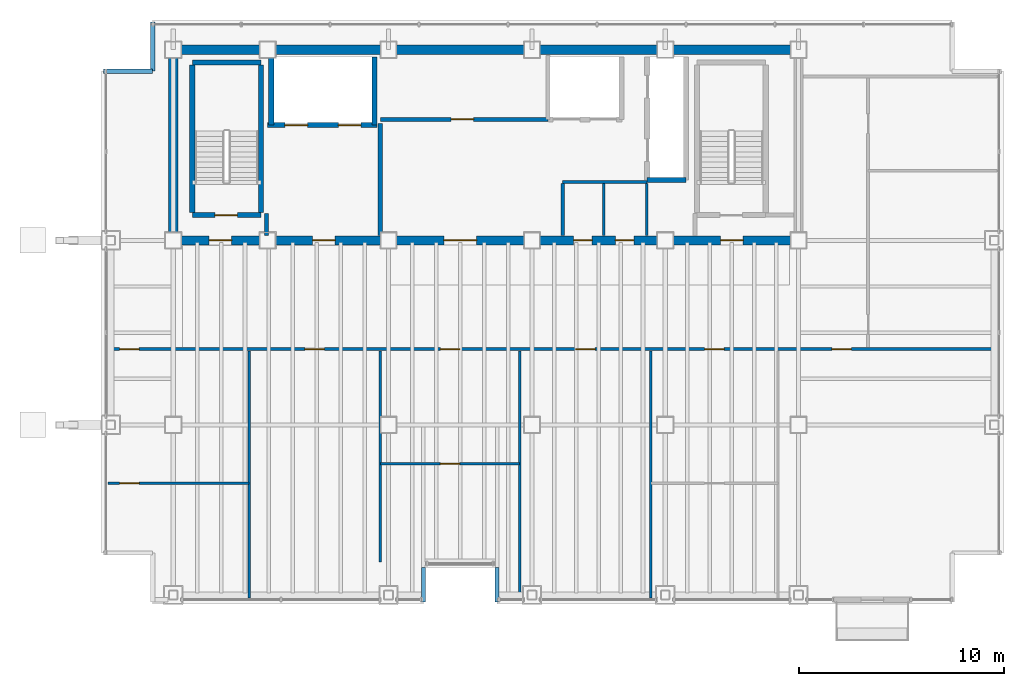
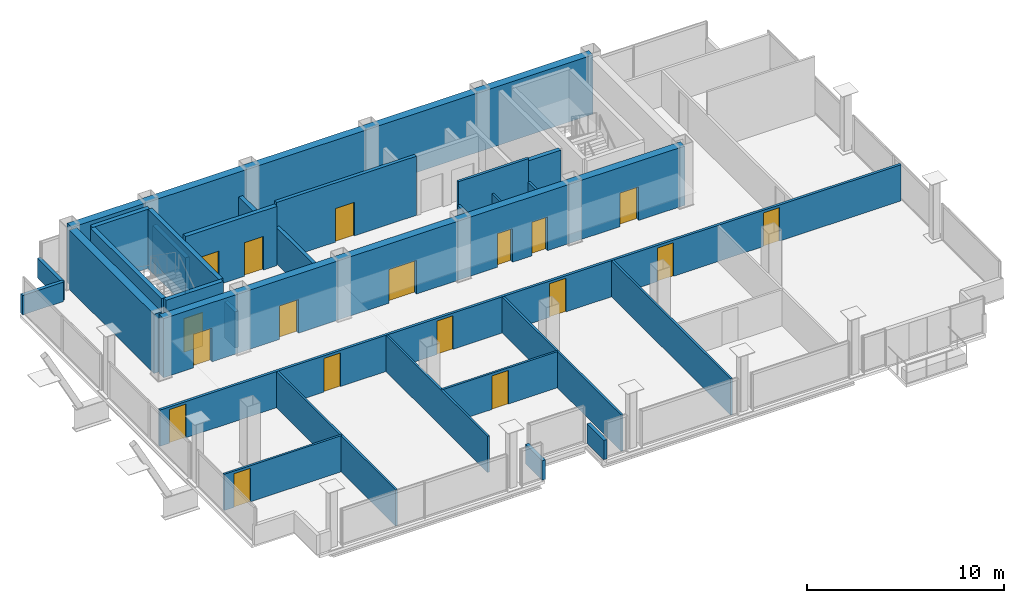
# One storey, part 14 of 17: 29 walls, 18 doors, 18 openings.
"""IFC4 building model written with IfcOpenShell, lengths in metres."""

import ifcopenshell
import ifcopenshell.guid

model = None  # the IFC model being written
_history = None  # IfcOwnerHistory: only IFC2X3 demands one
_inside = {}  # id of a spatial element -> (the spatial element, [elements in it])
_under = {}  # id of a project, library or spatial element -> (it, [spatial elements below it])
_declared = {}  # id of a project -> (the project, [libraries it declares])
_typed = {}  # id of a type object -> (the type object, [elements of that type])
_made_of = {}  # id of a material, layer set ... -> (it, [elements and type objects made of it])


def new_model(schema):
    """Start an empty IFC model of exactly this schema.

    Asked for "IFC4X3", IfcOpenShell would pick the latest addendum, in which some entities
    have other attributes; the version numbers below select the first issue.
    IFC2X3 requires an IfcOwnerHistory on every rooted entity: one is made here for all.
    """
    global model, _history
    if schema == "IFC4X3":
        model = ifcopenshell.file(schema_version=(4, 3, 0, 0))
    else:
        model = ifcopenshell.file(schema=schema)
    _inside.clear()
    _under.clear()
    _declared.clear()
    _typed.clear()
    _made_of.clear()
    _history = None
    if model.schema == "IFC2X3":
        org = make("IfcOrganization", Name="unknown")
        user = make(
            "IfcPersonAndOrganization",
            ThePerson=make("IfcPerson", FamilyName="unknown"),
            TheOrganization=org,
        )
        app = make(
            "IfcApplication",
            ApplicationDeveloper=org,
            Version="unknown",
            ApplicationFullName="unknown",
            ApplicationIdentifier="unknown",
        )
        _history = make(
            "IfcOwnerHistory",
            OwningUser=user,
            OwningApplication=app,
            ChangeAction="ADDED",
            CreationDate=0,
        )
    return model


def make(cls, **values):
    """One entity of the class cls with the attributes given. An attribute that is None is left unset."""
    return model.create_entity(
        cls, **{name: value for name, value in values.items() if value is not None}
    )


def rooted(cls, **values):
    """An entity with a GlobalId (a new one), such as an element, a storey or a relation."""
    return make(cls, GlobalId=ifcopenshell.guid.new(), OwnerHistory=_history, **values)


def si_unit(unit_type, name, prefix=None):
    """IfcSIUnit, for example si_unit("LENGTHUNIT", "METRE", prefix="MILLI")."""
    return make("IfcSIUnit", UnitType=unit_type, Prefix=prefix, Name=name)


def assignment(units):
    """IfcUnitAssignment: the units of a project."""
    return None if units is None else make("IfcUnitAssignment", Units=units)


def point(xyz):
    """IfcCartesianPoint."""
    return None if xyz is None else make("IfcCartesianPoint", Coordinates=xyz)


def direction(xyz):
    """IfcDirection."""
    return None if xyz is None else make("IfcDirection", DirectionRatios=xyz)


def frame(location, z_axis=None, x_axis=None):
    """IfcAxis2Placement3D, a coordinate frame: its origin and axes. An axis left out is left unset."""
    return make(
        "IfcAxis2Placement3D",
        Location=point(location),
        Axis=direction(z_axis),
        RefDirection=direction(x_axis),
    )


def frame_2d(location, x_axis=None):
    """IfcAxis2Placement2D, a coordinate frame in the plane: its origin and x axis."""
    return make(
        "IfcAxis2Placement2D", Location=point(location), RefDirection=direction(x_axis)
    )


def origin():
    """The frame at (0, 0, 0) with its axes left unset."""
    return frame((0.0, 0.0, 0.0))


def place(relative_to, where):
    """IfcLocalPlacement: puts the frame where relative to a parent placement (None: the world)."""
    return make(
        "IfcLocalPlacement", PlacementRelTo=relative_to, RelativePlacement=where
    )


def context(
    kind, dimensions, precision=None, world=None, true_north=None, identifier=None
):
    """IfcGeometricRepresentationContext, for example the 3D "Model" context."""
    return make(
        "IfcGeometricRepresentationContext",
        ContextIdentifier=identifier,
        ContextType=kind,
        CoordinateSpaceDimension=dimensions,
        Precision=precision,
        WorldCoordinateSystem=world,
        TrueNorth=true_north,
    )


def subcontext(parent, identifier, kind, view, scale=None):
    """IfcGeometricRepresentationSubContext, for example "Body" below "Model"."""
    return make(
        "IfcGeometricRepresentationSubContext",
        ContextIdentifier=identifier,
        ContextType=kind,
        ParentContext=parent,
        TargetScale=scale,
        TargetView=view,
    )


def project(units=None, contexts=None):
    """IfcProject with its units and contexts."""
    return rooted(
        "IfcProject",
        Name="project",
        RepresentationContexts=contexts,
        UnitsInContext=assignment(units),
    )


def spatial(cls, under=None, at=None, **own):
    """A site, building, storey or space (cls), placed at a placement, below another one or the project."""
    s = rooted(cls, ObjectPlacement=at, **own)
    if under is not None:
        _under.setdefault(under.id(), (under, []))[1].append(s)
    return s


def profile(cls, at=None, kind="AREA", **sizes):
    """A parametric profile (cls). Its sizes go by their IFC names, for example OverallWidth=200.0."""
    return make(cls, ProfileType=kind, Position=at, **sizes)


def rectangle(**sizes):
    """IfcRectangleProfileDef."""
    return profile("IfcRectangleProfileDef", **sizes)


def extrude(swept, where, along, depth):
    """IfcExtrudedAreaSolid: the profile swept, set in the frame where, extruded along a direction by depth."""
    return make(
        "IfcExtrudedAreaSolid",
        SweptArea=swept,
        Position=where,
        ExtrudedDirection=direction(along),
        Depth=depth,
    )


def shape(context_of_items, identifier, shape_type, items):
    """IfcShapeRepresentation: the items that make up one representation, for example the "Body"."""
    return make(
        "IfcShapeRepresentation",
        ContextOfItems=context_of_items,
        RepresentationIdentifier=identifier,
        RepresentationType=shape_type,
        Items=items,
    )


def material(Name=None, Category=None):
    """IfcMaterial."""
    return make("IfcMaterial", Name=Name, Category=Category)


def layer(
    of_material, thickness, ventilated=None, Name=None, Category=None, Priority=None
):
    """IfcMaterialLayer: one layer of a wall or slab, of a material (None: an air gap)."""
    return make(
        "IfcMaterialLayer",
        Material=of_material,
        LayerThickness=thickness,
        IsVentilated=ventilated,
        Name=Name,
        Category=Category,
        Priority=Priority,
    )


def layer_set(layers, Name=None):
    """IfcMaterialLayerSet."""
    return make("IfcMaterialLayerSet", MaterialLayers=layers, LayerSetName=Name)


def made_of(thing, what):
    """Note that an element or type object is made of a material, layer set ...; save() writes the relation."""
    if what is not None:
        _made_of.setdefault(what.id(), (what, []))[1].append(thing)
    return thing


def type_object(cls, material=None, **own):
    """A type object (cls), such as IfcWallType, which elements share."""
    return made_of(rooted(cls, **own), material)


def element(
    cls,
    number,
    at=None,
    inside=None,
    cuts=None,
    type_object=None,
    material=None,
    context=None,
    identifier="Body",
    shape_type=None,
    held_by="IfcProductDefinitionShape",
    body=None,
    shapes=None,
    **own,
):
    """One element of the class cls, such as IfcWall. Its Tag is "e" and its number.

    at: its placement. inside: the storey or other place that contains it. cuts: it is an
    opening in that element (IfcRelVoidsElement). A single representation is given by context,
    identifier, shape_type and body (its items); several are given by shapes. held_by: the class
    of the entity that holds the representations. save() writes the other relations.
    """
    e = rooted(cls, Tag="e%d" % number, ObjectPlacement=at, **own)
    if body is not None:
        shapes = [shape(context, identifier, shape_type, body)]
    if shapes is not None:
        e.Representation = make(held_by, Representations=shapes)
    if inside is not None:
        _inside.setdefault(inside.id(), (inside, []))[1].append(e)
    if cuts is not None:
        rooted(
            "IfcRelVoidsElement", RelatingBuildingElement=cuts, RelatedOpeningElement=e
        )
    if type_object is not None:
        _typed.setdefault(type_object.id(), (type_object, []))[1].append(e)
    return made_of(e, material)


def fill(opening, filler):
    """IfcRelFillsElement: the door or window that sits in an opening."""
    return rooted(
        "IfcRelFillsElement",
        RelatingOpeningElement=opening,
        RelatedBuildingElement=filler,
    )


def aggregate(whole, parts):
    """IfcRelAggregates: a whole, such as a stair, and the parts it consists of."""
    return rooted("IfcRelAggregates", RelatingObject=whole, RelatedObjects=parts)


def save(model, path):
    """Write the relations noted so far, then the file.

    IfcRelAggregates (storeys below a building ...), IfcRelContainedInSpatialStructure (elements
    in a storey), IfcRelDefinesByType, IfcRelAssociatesMaterial and IfcRelDeclares: one each for
    every whole, place, type object, material and project.
    """
    for whole, parts in _under.values():
        aggregate(whole, parts)
    for where, things in _inside.values():
        rooted(
            "IfcRelContainedInSpatialStructure",
            RelatedElements=things,
            RelatingStructure=where,
        )
    for kind, things in _typed.values():
        rooted("IfcRelDefinesByType", RelatedObjects=things, RelatingType=kind)
    for what, things in _made_of.values():
        rooted("IfcRelAssociatesMaterial", RelatedObjects=things, RelatingMaterial=what)
    for by, libraries in _declared.values():
        rooted("IfcRelDeclares", RelatingContext=by, RelatedDefinitions=libraries)
    model.write(path)


model = new_model("IFC4")

# Units and contexts
model_context = context("Model", 3, precision=1e-05, world=origin(), true_north=direction((0.0, 1.0)))
body_context = subcontext(model_context, "Body", "Model", "MODEL_VIEW")
ifc_project = project(units=[si_unit("LENGTHUNIT", "METRE"), si_unit("AREAUNIT", "SQUARE_METRE"), si_unit("VOLUMEUNIT", "CUBIC_METRE"), si_unit("PLANEANGLEUNIT", "RADIAN"), si_unit("MASSUNIT", "GRAM", prefix="KILO")], contexts=[model_context])

# Site, building, storey
site_placement = place(None, origin())
site = spatial("IfcSite", under=ifc_project, at=site_placement, CompositionType="ELEMENT")
building_placement = place(site_placement, origin())
building = spatial("IfcBuilding", under=site, at=building_placement, Name="Noeulbin Bourse Tower", CompositionType="ELEMENT")
storey_placement = place(building_placement, frame((0.0, 0.0, 226.699951171875)))
storey = spatial("IfcBuildingStorey", under=building, at=storey_placement, Name="L56", CompositionType="ELEMENT", Elevation=226.699951171875)

# Wall, openings, doors
ifc_material_1 = material(Name="Concrete C50/60", Category="concrete")
ifc_layer_1 = layer(ifc_material_1, 0.449951171875)
ifc_layer_set_1 = layer_set([ifc_layer_1], Name="Concrete C50/60")
wall_type_1 = type_object("IfcWallType", Name="WAL-CORE-450", PredefinedType="SHEAR", material=ifc_layer_set_1)
wall_1_placement = place(storey_placement, frame((13.5, 29.0, 0.0), z_axis=(0.0, 0.0, 1.0), x_axis=(1.0, 0.0, 0.0)))
wall_1 = element("IfcWall", 1, at=wall_1_placement, inside=storey, type_object=wall_type_1, Name="Rear Core South Shear Wall L56", PredefinedType="SHEAR", context=body_context, shape_type="SweptSolid", body=[
    extrude(rectangle(XDim=30.5, YDim=0.449951171875, at=frame_2d((15.25, 0.0))), origin(), (0.0, 0.0, 1.0), 3.66015625),
])
opening_1_placement = place(wall_1_placement, frame((1.75, 0.0, 0.0)))
opening_1 = element("IfcOpeningElement", 2, at=opening_1_placement, cuts=wall_1, Name="Opening FD-11", PredefinedType="OPENING", context=body_context, shape_type="SweptSolid", body=[
    extrude(rectangle(XDim=1.10009765625, YDim=2.080078125, at=frame_2d((0.550048828125, 1.0400390625))), frame((0.0, 0.23486328125, 0.0), z_axis=(0.0, -1.0, 0.0), x_axis=(1.0, 0.0, 0.0)), (0.0, 0.0, 1.0), 0.469970703125),
])
opening_2_placement = place(wall_1_placement, frame((26.699951171875, 0.0, 0.0)))
opening_2 = element("IfcOpeningElement", 3, at=opening_2_placement, cuts=wall_1, Name="Opening FD-11", PredefinedType="OPENING", context=body_context, shape_type="SweptSolid", body=[
    extrude(rectangle(XDim=1.10009765625, YDim=2.080078125, at=frame_2d((0.550048828125, 1.0400390625))), frame((0.0, 0.23486328125, 0.0), z_axis=(0.0, -1.0, 0.0), x_axis=(1.0, 0.0, 0.0)), (0.0, 0.0, 1.0), 0.469970703125),
])
opening_3_placement = place(wall_1_placement, frame((6.800048828125, 0.0, 0.0)))
opening_3 = element("IfcOpeningElement", 4, at=opening_3_placement, cuts=wall_1, Name="Opening FD-11", PredefinedType="OPENING", context=body_context, shape_type="SweptSolid", body=[
    extrude(rectangle(XDim=1.10009765625, YDim=2.080078125, at=frame_2d((0.550048828125, 1.0400390625))), frame((0.0, 0.23486328125, 0.0), z_axis=(0.0, -1.0, 0.0), x_axis=(1.0, 0.0, 0.0)), (0.0, 0.0, 1.0), 0.469970703125),
])
opening_4_placement = place(wall_1_placement, frame((13.199951171875, 0.0, 0.0)))
opening_4 = element("IfcOpeningElement", 5, at=opening_4_placement, cuts=wall_1, Name="Opening ID-16", PredefinedType="OPENING", context=body_context, shape_type="SweptSolid", body=[
    extrude(rectangle(XDim=1.60009765625, YDim=2.080078125, at=frame_2d((0.800048828125, 1.0400390625))), frame((0.0, 0.23486328125, 0.0), z_axis=(0.0, -1.0, 0.0), x_axis=(1.0, 0.0, 0.0)), (0.0, 0.0, 1.0), 0.469970703125),
])
opening_5_placement = place(wall_1_placement, frame((19.530029296875, 0.0, 0.0)))
opening_5 = element("IfcOpeningElement", 6, at=opening_5_placement, cuts=wall_1, Name="Opening FD-09", PredefinedType="OPENING", context=body_context, shape_type="SweptSolid", body=[
    extrude(rectangle(XDim=0.89990234375, YDim=2.080078125, at=frame_2d((0.449951171875, 1.0400390625))), frame((0.0, 0.23486328125, 0.0), z_axis=(0.0, -1.0, 0.0), x_axis=(1.0, 0.0, 0.0)), (0.0, 0.0, 1.0), 0.469970703125),
])
opening_6_placement = place(wall_1_placement, frame((21.570068359375, 0.0, 0.0)))
opening_6 = element("IfcOpeningElement", 7, at=opening_6_placement, cuts=wall_1, Name="Opening FD-09", PredefinedType="OPENING", context=body_context, shape_type="SweptSolid", body=[
    extrude(rectangle(XDim=0.89990234375, YDim=2.080078125, at=frame_2d((0.449951171875, 1.0400390625))), frame((0.0, 0.23486328125, 0.0), z_axis=(0.0, -1.0, 0.0), x_axis=(1.0, 0.0, 0.0)), (0.0, 0.0, 1.0), 0.469970703125),
])
ifc_material_2 = material(Name="Acoustic Glazed Aluminium", Category="aluminium")
door_type_1 = type_object("IfcDoorType", Name="DR-DBL-1600", OperationType="DOUBLE_DOOR_SINGLE_SWING", PredefinedType="DOOR", material=ifc_material_2)
door_1_placement = place(opening_4_placement, origin())
door_1 = element("IfcDoor", 8, at=door_1_placement, inside=storey, type_object=door_type_1, Name="Passenger Lift Lobby Portal L56", OperationType="DOUBLE_DOOR_SINGLE_SWING", OverallHeight=2.080078125, OverallWidth=1.60009765625, PredefinedType="DOOR", context=body_context, shape_type="SweptSolid", body=[
    extrude(rectangle(XDim=1.60009765625, YDim=2.080078125, at=frame_2d((0.800048828125, 1.0400390625))), frame((0.0, 0.02490234375, 0.0), z_axis=(0.0, -1.0, 0.0), x_axis=(1.0, 0.0, 0.0)), (0.0, 0.0, 1.0), 0.050048828125),
])
fill(opening_4, door_1)
ifc_material_3 = material(Name="Fire-Rated Timber Core", Category="wood")
door_type_2 = type_object("IfcDoorType", Name="DR-FD30-900", OperationType="SINGLE_SWING_RIGHT", PredefinedType="DOOR", material=ifc_material_3)
door_2_placement = place(opening_5_placement, origin())
door_2 = element("IfcDoor", 9, at=door_2_placement, inside=storey, type_object=door_type_2, Name="Interior Door L56-06", OperationType="SINGLE_SWING_LEFT", OverallHeight=2.080078125, OverallWidth=0.89990234375, PredefinedType="DOOR", context=body_context, shape_type="SweptSolid", body=[
    extrude(rectangle(XDim=0.89990234375, YDim=2.080078125, at=frame_2d((0.449951171875, 1.0400390625))), frame((0.0, 0.02490234375, 0.0), z_axis=(0.0, -1.0, 0.0), x_axis=(1.0, 0.0, 0.0)), (0.0, 0.0, 1.0), 0.050048828125),
])
fill(opening_5, door_2)
door_3_placement = place(opening_6_placement, origin())
door_3 = element("IfcDoor", 10, at=door_3_placement, inside=storey, type_object=door_type_2, Name="Interior Door L56-07", OperationType="SINGLE_SWING_RIGHT", OverallHeight=2.080078125, OverallWidth=0.89990234375, PredefinedType="DOOR", context=body_context, shape_type="SweptSolid", body=[
    extrude(rectangle(XDim=0.89990234375, YDim=2.080078125, at=frame_2d((0.449951171875, 1.0400390625))), frame((0.0, 0.02490234375, 0.0), z_axis=(0.0, -1.0, 0.0), x_axis=(1.0, 0.0, 0.0)), (0.0, 0.0, 1.0), 0.050048828125),
])
fill(opening_6, door_3)
ifc_material_4 = material(Name="Fire-Rated Insulated Steel", Category="steel")
door_type_3 = type_object("IfcDoorType", Name="DR-FD60-1100", OperationType="SINGLE_SWING_LEFT", PredefinedType="DOOR", material=ifc_material_4)
door_4_placement = place(opening_1_placement, origin())
door_4 = element("IfcDoor", 11, at=door_4_placement, inside=storey, type_object=door_type_3, Name="West Stair Lobby Door L56", OperationType="SINGLE_SWING_RIGHT", OverallHeight=2.080078125, OverallWidth=1.10009765625, PredefinedType="DOOR", context=body_context, shape_type="SweptSolid", body=[
    extrude(rectangle(XDim=1.10009765625, YDim=2.080078125, at=frame_2d((0.550048828125, 1.0400390625))), frame((0.0, 0.02490234375, 0.0), z_axis=(0.0, -1.0, 0.0), x_axis=(1.0, 0.0, 0.0)), (0.0, 0.0, 1.0), 0.050048828125),
])
fill(opening_1, door_4)
door_5_placement = place(opening_2_placement, origin())
door_5 = element("IfcDoor", 12, at=door_5_placement, inside=storey, type_object=door_type_3, Name="East Stair Lobby Door L56", OperationType="SINGLE_SWING_LEFT", OverallHeight=2.080078125, OverallWidth=1.10009765625, PredefinedType="DOOR", context=body_context, shape_type="SweptSolid", body=[
    extrude(rectangle(XDim=1.10009765625, YDim=2.080078125, at=frame_2d((0.550048828125, 1.0400390625))), frame((0.0, 0.02490234375, 0.0), z_axis=(0.0, -1.0, 0.0), x_axis=(1.0, 0.0, 0.0)), (0.0, 0.0, 1.0), 0.050048828125),
])
fill(opening_2, door_5)
door_6_placement = place(opening_3_placement, origin())
door_6 = element("IfcDoor", 13, at=door_6_placement, inside=storey, type_object=door_type_3, Name="Firefighting Lobby Door L56", OperationType="SINGLE_SWING_RIGHT", OverallHeight=2.080078125, OverallWidth=1.10009765625, PredefinedType="DOOR", context=body_context, shape_type="SweptSolid", body=[
    extrude(rectangle(XDim=1.10009765625, YDim=2.080078125, at=frame_2d((0.550048828125, 1.0400390625))), frame((0.0, 0.02490234375, 0.0), z_axis=(0.0, -1.0, 0.0), x_axis=(1.0, 0.0, 0.0)), (0.0, 0.0, 1.0), 0.050048828125),
])
fill(opening_3, door_6)

# Walls
wall_2_placement = place(storey_placement, frame((13.5, 38.300048828125, 0.0), z_axis=(0.0, 0.0, 1.0), x_axis=(1.0, 0.0, 0.0)))
element("IfcWall", 14, at=wall_2_placement, inside=storey, type_object=wall_type_1, Name="Rear Core North Shear Wall L56", PredefinedType="SHEAR", context=body_context, shape_type="SweptSolid", body=[
    extrude(rectangle(XDim=30.5, YDim=0.449951171875, at=frame_2d((15.25, 0.0))), origin(), (0.0, 0.0, 1.0), 3.66015625),
])
wall_3_placement = place(storey_placement, frame((13.5, 29.35009765625, 0.0), z_axis=(0.0, 0.0, 1.0), x_axis=(0.0, 1.0, 0.0)))
element("IfcWall", 15, at=wall_3_placement, inside=storey, type_object=wall_type_1, Name="Rear Core West Shear Wall L56", PredefinedType="SHEAR", context=body_context, shape_type="SweptSolid", body=[
    extrude(rectangle(XDim=8.599853515625, YDim=0.449951171875, at=frame_2d((4.2998046875, 0.0))), origin(), (0.0, 0.0, 1.0), 3.66015625),
])

# Wall, opening, door
ifc_material_5 = material(Name="Concrete C40/50", Category="concrete")
ifc_layer_2 = layer(ifc_material_5, 0.199951171875)
ifc_layer_set_2 = layer_set([ifc_layer_2], Name="Concrete C40/50")
wall_type_2 = type_object("IfcWallType", Name="WAL-FIRE-200", PredefinedType="STANDARD", material=ifc_layer_set_2)
wall_4_placement = place(storey_placement, frame((23.60009765625, 34.89990234375, 0.0), z_axis=(0.0, 0.0, 1.0), x_axis=(1.0, 0.0, 0.0)))
wall_4 = element("IfcWall", 16, at=wall_4_placement, inside=storey, type_object=wall_type_2, Name="Interior Partition Wall L56-02", PredefinedType="STANDARD", context=body_context, shape_type="SweptSolid", body=[
    extrude(rectangle(XDim=8.179931640625, YDim=0.199951171875, at=frame_2d((4.08984375, 0.0))), origin(), (0.0, 0.0, 1.0), 3.66015625),
])
opening_7_placement = place(wall_4_placement, frame((3.449951171875, 0.0, 0.0)))
opening_7 = element("IfcOpeningElement", 17, at=opening_7_placement, cuts=wall_4, Name="Opening FD-11", PredefinedType="OPENING", context=body_context, shape_type="SweptSolid", body=[
    extrude(rectangle(XDim=1.10009765625, YDim=2.080078125, at=frame_2d((0.550048828125, 1.0400390625))), frame((0.0, 0.10986328125, 0.0), z_axis=(0.0, -1.0, 0.0), x_axis=(1.0, 0.0, 0.0)), (0.0, 0.0, 1.0), 0.219970703125),
])
door_7_placement = place(opening_7_placement, origin())
door_7 = element("IfcDoor", 18, at=door_7_placement, inside=storey, type_object=door_type_3, Name="Telemetry Server Door L56", OperationType="SINGLE_SWING_RIGHT", OverallHeight=2.080078125, OverallWidth=1.10009765625, PredefinedType="DOOR", context=body_context, shape_type="SweptSolid", body=[
    extrude(rectangle(XDim=1.10009765625, YDim=2.080078125, at=frame_2d((0.550048828125, 1.0400390625))), frame((0.0, 0.02490234375, 0.0), z_axis=(0.0, -1.0, 0.0), x_axis=(1.0, 0.0, 0.0)), (0.0, 0.0, 1.0), 0.050048828125),
])
fill(opening_7, door_7)

# Walls
wall_5_placement = place(storey_placement, frame((18.050048828125, 29.235107421875, 0.0), z_axis=(0.0, 0.0, 1.0), x_axis=(0.0, 1.0, 0.0)))
element("IfcWall", 19, at=wall_5_placement, inside=storey, type_object=wall_type_2, Name="Interior Partition Wall L56-10", PredefinedType="STANDARD", context=body_context, shape_type="SweptSolid", body=[
    extrude(rectangle(XDim=1.06494140625, YDim=0.199951171875, at=frame_2d((0.532470703125, 0.0))), origin(), (0.0, 0.0, 1.0), 2.239990234375),
])
wall_6_placement = place(storey_placement, frame((23.60009765625, 29.235107421875, 0.0), z_axis=(0.0, 0.0, 1.0), x_axis=(0.0, 1.0, 0.0)))
element("IfcWall", 20, at=wall_6_placement, inside=storey, type_object=wall_type_2, Name="Interior Partition Wall L56-12", PredefinedType="STANDARD", context=body_context, shape_type="SweptSolid", body=[
    extrude(rectangle(XDim=5.46484375, YDim=0.199951171875, at=frame_2d((2.732421875, 0.0))), origin(), (0.0, 0.0, 1.0), 2.239990234375),
])
ifc_layer_3 = layer(ifc_material_5, 0.199951171875)
ifc_layer_set_3 = layer_set([ifc_layer_3], Name="Concrete C40/50")
wall_type_3 = type_object("IfcWallType", Name="WAL-PAR-200", PredefinedType="PARAPET", material=ifc_layer_set_3)
for number, where, z_axis, x_axis, name in (
    (21, (10.10009765625, 37.25, 0.0), (0.0, 0.0, 1.0), (1.0, 0.0, 0.0), "Corner Notch Parapet L56-NW1"),
    (22, (12.5, 37.25, 0.0), (0.0, 0.0, 1.0), (0.0, 1.0, 0.0), "Corner Notch Parapet L56-NW2"),
):
    element("IfcWall", number, at=place(storey_placement, frame(where, z_axis=z_axis, x_axis=x_axis)), inside=storey, type_object=wall_type_3, Name=name, PredefinedType="PARAPET", context=body_context, shape_type="SweptSolid", body=[
        extrude(rectangle(XDim=2.39990234375, YDim=0.199951171875, at=frame_2d((1.199951171875, 0.0))), origin(), (0.0, 0.0, 1.0), 1.199951171875),
    ])
for number, where, z_axis, x_axis, name in (
    (23, (25.699951171875, 11.35009765625, 0.0), (0.0, 0.0, 1.0), (0.0, 1.0, 0.0), "Sky-Garden Recess Parapet L56-W"),
    (24, (29.300048828125, 13.050048828125, 0.0), (0.0, 0.0, 1.0), (0.0, -1.0, 0.0), "Sky-Garden Recess Parapet L56-E"),
):
    element("IfcWall", number, at=place(storey_placement, frame(where, z_axis=z_axis, x_axis=x_axis)), inside=storey, type_object=wall_type_3, Name=name, PredefinedType="PARAPET", context=body_context, shape_type="SweptSolid", body=[
        extrude(rectangle(XDim=1.699951171875, YDim=0.199951171875, at=frame_2d((0.85009765625, 0.0))), origin(), (0.0, 0.0, 1.0), 1.199951171875),
    ])

# Wall, opening, door
ifc_material_6 = material(Name="Steel Stud Gypsum Partition", Category="steel")
ifc_layer_4 = layer(ifc_material_6, 0.1201171875)
ifc_layer_set_4 = layer_set([ifc_layer_4], Name="Steel Stud Gypsum Partition")
wall_type_4 = type_object("IfcWallType", Name="WAL-PRT-120", PredefinedType="PARTITIONING", material=ifc_layer_set_4)
wall_7_placement = place(storey_placement, frame((10.31005859375, 17.14404296875, 0.0), z_axis=(0.0, 0.0, 1.0), x_axis=(1.0, 0.0, 0.0)))
wall_7 = element("IfcWall", 25, at=wall_7_placement, inside=storey, type_object=wall_type_4, Name="Interior Partition Wall L56-06", PredefinedType="PARTITIONING", context=body_context, shape_type="SweptSolid", body=[
    extrude(rectangle(XDim=6.889892578125, YDim=0.1201171875, at=frame_2d((3.44482421875, 0.0))), origin(), (0.0, 0.0, 1.0), 2.239990234375),
])
opening_8_placement = place(wall_7_placement, frame((0.574951171875, 0.0, 0.0)))
opening_8 = element("IfcOpeningElement", 26, at=opening_8_placement, cuts=wall_7, Name="Opening ID-09", PredefinedType="OPENING", context=body_context, shape_type="SweptSolid", body=[
    extrude(rectangle(XDim=0.949951171875, YDim=2.080078125, at=frame_2d((0.47509765625, 1.0400390625))), frame((0.0, 0.070068359375, 0.0), z_axis=(0.0, -1.0, 0.0), x_axis=(1.0, 0.0, 0.0)), (0.0, 0.0, 1.0), 0.14013671875),
])
ifc_material_7 = material(Name="Acoustic Solid-Core Timber", Category="wood")
door_type_4 = type_object("IfcDoorType", Name="DR-SINGLE-950", OperationType="SINGLE_SWING_LEFT", PredefinedType="DOOR", material=ifc_material_7)
door_8_placement = place(opening_8_placement, origin())
door_8 = element("IfcDoor", 27, at=door_8_placement, inside=storey, type_object=door_type_4, Name="Interior Door L56-08", OperationType="SINGLE_SWING_LEFT", OverallHeight=2.080078125, OverallWidth=0.949951171875, PredefinedType="DOOR", context=body_context, shape_type="SweptSolid", body=[
    extrude(rectangle(XDim=0.949951171875, YDim=2.080078125, at=frame_2d((0.47509765625, 1.0400390625))), frame((0.0, 0.02490234375, 0.0), z_axis=(0.0, -1.0, 0.0), x_axis=(1.0, 0.0, 0.0)), (0.0, 0.0, 1.0), 0.050048828125),
])
fill(opening_8, door_8)

wall_8_placement = place(storey_placement, frame((23.60009765625, 18.094970703125, 0.0), z_axis=(0.0, 0.0, 1.0), x_axis=(1.0, 0.0, 0.0)))
wall_8 = element("IfcWall", 28, at=wall_8_placement, inside=storey, type_object=wall_type_4, Name="Interior Partition Wall L56-07", PredefinedType="PARTITIONING", context=body_context, shape_type="SweptSolid", body=[
    extrude(rectangle(XDim=6.7998046875, YDim=0.1201171875, at=frame_2d((3.39990234375, 0.0))), origin(), (0.0, 0.0, 1.0), 2.239990234375),
])
opening_9_placement = place(wall_8_placement, frame((2.925048828125, 0.0, 0.0)))
opening_9 = element("IfcOpeningElement", 29, at=opening_9_placement, cuts=wall_8, Name="Opening ID-09", PredefinedType="OPENING", context=body_context, shape_type="SweptSolid", body=[
    extrude(rectangle(XDim=0.949951171875, YDim=2.080078125, at=frame_2d((0.47509765625, 1.0400390625))), frame((0.0, 0.070068359375, 0.0), z_axis=(0.0, -1.0, 0.0), x_axis=(1.0, 0.0, 0.0)), (0.0, 0.0, 1.0), 0.14013671875),
])
door_9_placement = place(opening_9_placement, origin())
door_9 = element("IfcDoor", 30, at=door_9_placement, inside=storey, type_object=door_type_4, Name="Interior Door L56-11", OperationType="SINGLE_SWING_RIGHT", OverallHeight=2.080078125, OverallWidth=0.949951171875, PredefinedType="DOOR", context=body_context, shape_type="SweptSolid", body=[
    extrude(rectangle(XDim=0.949951171875, YDim=2.080078125, at=frame_2d((0.47509765625, 1.0400390625))), frame((0.0, 0.02490234375, 0.0), z_axis=(0.0, -1.0, 0.0), x_axis=(1.0, 0.0, 0.0)), (0.0, 0.0, 1.0), 0.050048828125),
])
fill(opening_9, door_9)

# Walls
for number, where, z_axis, x_axis, name in (
    (31, (36.60009765625, 29.235107421875, 0.0), (0.0, 0.0, 1.0), (0.0, 1.0, 0.0), "Interior Partition Wall L56-14"),
    (32, (34.5, 29.235107421875, 0.0), (0.0, 0.0, 1.0), (0.0, 1.0, 0.0), "Interior Partition Wall L56-15"),
):
    element("IfcWall", number, at=place(storey_placement, frame(where, z_axis=z_axis, x_axis=x_axis)), inside=storey, type_object=wall_type_4, Name=name, PredefinedType="PARTITIONING", context=body_context, shape_type="SweptSolid", body=[
        extrude(rectangle(XDim=2.52978515625, YDim=0.1201171875, at=frame_2d((1.264892578125, 0.0))), origin(), (0.0, 0.0, 1.0), 2.239990234375),
    ])
wall_9_placement = place(storey_placement, frame((17.199951171875, 11.56005859375, 0.0), z_axis=(0.0, 0.0, 1.0), x_axis=(0.0, 1.0, 0.0)))
element("IfcWall", 33, at=wall_9_placement, inside=storey, type_object=wall_type_4, Name="Interior Partition Wall L56-17", PredefinedType="PARTITIONING", context=body_context, shape_type="SweptSolid", body=[
    extrude(rectangle(XDim=12.054931640625, YDim=0.1201171875, at=frame_2d((6.02734375, 0.0))), origin(), (0.0, 0.0, 1.0), 2.239990234375),
])
wall_10_placement = place(storey_placement, frame((23.60009765625, 13.320068359375, 0.0), z_axis=(0.0, 0.0, 1.0), x_axis=(0.0, 1.0, 0.0)))
element("IfcWall", 34, at=wall_10_placement, inside=storey, type_object=wall_type_4, Name="Interior Partition Wall L56-18", PredefinedType="PARTITIONING", context=body_context, shape_type="SweptSolid", body=[
    extrude(rectangle(XDim=10.294921875, YDim=0.1201171875, at=frame_2d((5.1474609375, 0.0))), origin(), (0.0, 0.0, 1.0), 2.239990234375),
])
for number, where, z_axis, x_axis, name in (
    (35, (30.39990234375, 11.56005859375, 0.0), (0.0, 0.0, 1.0), (0.0, 1.0, 0.0), "Interior Partition Wall L56-19"),
    (36, (36.800048828125, 11.56005859375, 0.0), (0.0, 0.0, 1.0), (0.0, 1.0, 0.0), "Interior Partition Wall L56-20"),
):
    element("IfcWall", number, at=place(storey_placement, frame(where, z_axis=z_axis, x_axis=x_axis)), inside=storey, type_object=wall_type_4, Name=name, PredefinedType="PARTITIONING", context=body_context, shape_type="SweptSolid", body=[
        extrude(rectangle(XDim=12.054931640625, YDim=0.1201171875, at=frame_2d((6.02734375, 0.0))), origin(), (0.0, 0.0, 1.0), 2.239990234375),
    ])
ifc_material_8 = material(Name="Steel Stud Acoustic Gypsum Board", Category="steel")
ifc_layer_5 = layer(ifc_material_8, 0.14990234375)
ifc_layer_set_5 = layer_set([ifc_layer_5], Name="Steel Stud Acoustic Gypsum Board")
wall_type_5 = type_object("IfcWallType", Name="WAL-PRT-150", PredefinedType="PARTITIONING", material=ifc_layer_set_5)
wall_11_placement = place(storey_placement, frame((32.5, 31.85009765625, 0.0), z_axis=(0.0, 0.0, 1.0), x_axis=(1.0, 0.0, 0.0)))
element("IfcWall", 37, at=wall_11_placement, inside=storey, type_object=wall_type_5, Name="Interior Partition Wall L56-03", PredefinedType="PARTITIONING", context=body_context, shape_type="SweptSolid", body=[
    extrude(rectangle(XDim=4.10009765625, YDim=0.14990234375, at=frame_2d((2.050048828125, 0.0))), origin(), (0.0, 0.0, 1.0), 3.66015625),
])

# Wall, openings, doors
wall_12_placement = place(storey_placement, frame((10.31005859375, 23.699951171875, 0.0), z_axis=(0.0, 0.0, 1.0), x_axis=(1.0, 0.0, 0.0)))
wall_12 = element("IfcWall", 38, at=wall_12_placement, inside=storey, type_object=wall_type_5, Name="Interior Partition Wall L56-04", PredefinedType="PARTITIONING", context=body_context, shape_type="SweptSolid", body=[
    extrude(rectangle(XDim=43.3798828125, YDim=0.14990234375, at=frame_2d((21.68994140625, 0.0))), origin(), (0.0, 0.0, 1.0), 2.239990234375),
])
opening_10_placement = place(wall_12_placement, frame((0.574951171875, 0.0, 0.0)))
opening_10 = element("IfcOpeningElement", 39, at=opening_10_placement, cuts=wall_12, Name="Opening ID-09", PredefinedType="OPENING", context=body_context, shape_type="SweptSolid", body=[
    extrude(rectangle(XDim=0.949951171875, YDim=2.080078125, at=frame_2d((0.47509765625, 1.0400390625))), frame((0.0, 0.0849609375, 0.0), z_axis=(0.0, -1.0, 0.0), x_axis=(1.0, 0.0, 0.0)), (0.0, 0.0, 1.0), 0.169921875),
])
opening_11_placement = place(wall_12_placement, frame((9.614990234375, 0.0, 0.0)))
opening_11 = element("IfcOpeningElement", 40, at=opening_11_placement, cuts=wall_12, Name="Opening ID-09", PredefinedType="OPENING", context=body_context, shape_type="SweptSolid", body=[
    extrude(rectangle(XDim=0.949951171875, YDim=2.080078125, at=frame_2d((0.47509765625, 1.0400390625))), frame((0.0, 0.0849609375, 0.0), z_axis=(0.0, -1.0, 0.0), x_axis=(1.0, 0.0, 0.0)), (0.0, 0.0, 1.0), 0.169921875),
])
opening_12_placement = place(wall_12_placement, frame((16.215087890625, 0.0, 0.0)))
opening_12 = element("IfcOpeningElement", 41, at=opening_12_placement, cuts=wall_12, Name="Opening ID-09", PredefinedType="OPENING", context=body_context, shape_type="SweptSolid", body=[
    extrude(rectangle(XDim=0.949951171875, YDim=2.080078125, at=frame_2d((0.47509765625, 1.0400390625))), frame((0.0, 0.0849609375, 0.0), z_axis=(0.0, -1.0, 0.0), x_axis=(1.0, 0.0, 0.0)), (0.0, 0.0, 1.0), 0.169921875),
])
opening_13_placement = place(wall_12_placement, frame((22.81494140625, 0.0, 0.0)))
opening_13 = element("IfcOpeningElement", 42, at=opening_13_placement, cuts=wall_12, Name="Opening ID-09", PredefinedType="OPENING", context=body_context, shape_type="SweptSolid", body=[
    extrude(rectangle(XDim=0.949951171875, YDim=2.080078125, at=frame_2d((0.47509765625, 1.0400390625))), frame((0.0, 0.0849609375, 0.0), z_axis=(0.0, -1.0, 0.0), x_axis=(1.0, 0.0, 0.0)), (0.0, 0.0, 1.0), 0.169921875),
])
opening_14_placement = place(wall_12_placement, frame((29.114990234375, 0.0, 0.0)))
opening_14 = element("IfcOpeningElement", 43, at=opening_14_placement, cuts=wall_12, Name="Opening ID-09", PredefinedType="OPENING", context=body_context, shape_type="SweptSolid", body=[
    extrude(rectangle(XDim=0.949951171875, YDim=2.080078125, at=frame_2d((0.47509765625, 1.0400390625))), frame((0.0, 0.0849609375, 0.0), z_axis=(0.0, -1.0, 0.0), x_axis=(1.0, 0.0, 0.0)), (0.0, 0.0, 1.0), 0.169921875),
])
opening_15_placement = place(wall_12_placement, frame((35.31494140625, 0.0, 0.0)))
opening_15 = element("IfcOpeningElement", 44, at=opening_15_placement, cuts=wall_12, Name="Opening ID-09", PredefinedType="OPENING", context=body_context, shape_type="SweptSolid", body=[
    extrude(rectangle(XDim=0.949951171875, YDim=2.080078125, at=frame_2d((0.47509765625, 1.0400390625))), frame((0.0, 0.0849609375, 0.0), z_axis=(0.0, -1.0, 0.0), x_axis=(1.0, 0.0, 0.0)), (0.0, 0.0, 1.0), 0.169921875),
])
door_10_placement = place(opening_10_placement, origin())
door_10 = element("IfcDoor", 45, at=door_10_placement, inside=storey, type_object=door_type_4, Name="Interior Door L56-09", OperationType="SINGLE_SWING_RIGHT", OverallHeight=2.080078125, OverallWidth=0.949951171875, PredefinedType="DOOR", context=body_context, shape_type="SweptSolid", body=[
    extrude(rectangle(XDim=0.949951171875, YDim=2.080078125, at=frame_2d((0.47509765625, 1.0400390625))), frame((0.0, 0.02490234375, 0.0), z_axis=(0.0, -1.0, 0.0), x_axis=(1.0, 0.0, 0.0)), (0.0, 0.0, 1.0), 0.050048828125),
])
fill(opening_10, door_10)
door_11_placement = place(opening_11_placement, origin())
door_11 = element("IfcDoor", 46, at=door_11_placement, inside=storey, type_object=door_type_4, Name="Interior Door L56-10", OperationType="SINGLE_SWING_LEFT", OverallHeight=2.080078125, OverallWidth=0.949951171875, PredefinedType="DOOR", context=body_context, shape_type="SweptSolid", body=[
    extrude(rectangle(XDim=0.949951171875, YDim=2.080078125, at=frame_2d((0.47509765625, 1.0400390625))), frame((0.0, 0.02490234375, 0.0), z_axis=(0.0, -1.0, 0.0), x_axis=(1.0, 0.0, 0.0)), (0.0, 0.0, 1.0), 0.050048828125),
])
fill(opening_11, door_11)
door_12_placement = place(opening_12_placement, origin())
door_12 = element("IfcDoor", 47, at=door_12_placement, inside=storey, type_object=door_type_4, Name="Interior Door L56-12", OperationType="SINGLE_SWING_LEFT", OverallHeight=2.080078125, OverallWidth=0.949951171875, PredefinedType="DOOR", context=body_context, shape_type="SweptSolid", body=[
    extrude(rectangle(XDim=0.949951171875, YDim=2.080078125, at=frame_2d((0.47509765625, 1.0400390625))), frame((0.0, 0.02490234375, 0.0), z_axis=(0.0, -1.0, 0.0), x_axis=(1.0, 0.0, 0.0)), (0.0, 0.0, 1.0), 0.050048828125),
])
fill(opening_12, door_12)
door_13_placement = place(opening_13_placement, origin())
door_13 = element("IfcDoor", 48, at=door_13_placement, inside=storey, type_object=door_type_4, Name="Interior Door L56-13", OperationType="SINGLE_SWING_RIGHT", OverallHeight=2.080078125, OverallWidth=0.949951171875, PredefinedType="DOOR", context=body_context, shape_type="SweptSolid", body=[
    extrude(rectangle(XDim=0.949951171875, YDim=2.080078125, at=frame_2d((0.47509765625, 1.0400390625))), frame((0.0, 0.02490234375, 0.0), z_axis=(0.0, -1.0, 0.0), x_axis=(1.0, 0.0, 0.0)), (0.0, 0.0, 1.0), 0.050048828125),
])
fill(opening_13, door_13)
door_14_placement = place(opening_14_placement, origin())
door_14 = element("IfcDoor", 49, at=door_14_placement, inside=storey, type_object=door_type_4, Name="Interior Door L56-15", OperationType="SINGLE_SWING_RIGHT", OverallHeight=2.080078125, OverallWidth=0.949951171875, PredefinedType="DOOR", context=body_context, shape_type="SweptSolid", body=[
    extrude(rectangle(XDim=0.949951171875, YDim=2.080078125, at=frame_2d((0.47509765625, 1.0400390625))), frame((0.0, 0.02490234375, 0.0), z_axis=(0.0, -1.0, 0.0), x_axis=(1.0, 0.0, 0.0)), (0.0, 0.0, 1.0), 0.050048828125),
])
fill(opening_14, door_14)
door_15_placement = place(opening_15_placement, origin())
door_15 = element("IfcDoor", 50, at=door_15_placement, inside=storey, type_object=door_type_4, Name="Interior Door L56-16", OperationType="SINGLE_SWING_LEFT", OverallHeight=2.080078125, OverallWidth=0.949951171875, PredefinedType="DOOR", context=body_context, shape_type="SweptSolid", body=[
    extrude(rectangle(XDim=0.949951171875, YDim=2.080078125, at=frame_2d((0.47509765625, 1.0400390625))), frame((0.0, 0.02490234375, 0.0), z_axis=(0.0, -1.0, 0.0), x_axis=(1.0, 0.0, 0.0)), (0.0, 0.0, 1.0), 0.050048828125),
])
fill(opening_15, door_15)

# Wall
wall_13_placement = place(storey_placement, frame((32.5, 29.235107421875, 0.0), z_axis=(0.0, 0.0, 1.0), x_axis=(0.0, 1.0, 0.0)))
element("IfcWall", 51, at=wall_13_placement, inside=storey, type_object=wall_type_5, Name="Interior Partition Wall L56-13", PredefinedType="PARTITIONING", context=body_context, shape_type="SweptSolid", body=[
    extrude(rectangle(XDim=2.52978515625, YDim=0.14990234375, at=frame_2d((1.264892578125, 0.0))), origin(), (0.0, 0.0, 1.0), 2.239990234375),
])

# Wall, opening, door
ifc_layer_6 = layer(ifc_material_5, 0.25)
ifc_layer_set_6 = layer_set([ifc_layer_6], Name="Concrete C40/50")
wall_type_6 = type_object("IfcWallType", Name="WAL-SHFT-250", PredefinedType="STANDARD", material=ifc_layer_set_6)
wall_14_placement = place(storey_placement, frame((14.429931640625, 30.235107421875, 0.0), z_axis=(0.0, 0.0, 1.0), x_axis=(1.0, 0.0, 0.0)))
wall_14 = element("IfcWall", 52, at=wall_14_placement, inside=storey, type_object=wall_type_6, Name="Stair ST-1 South Shaft Wall L56", PredefinedType="STANDARD", context=body_context, shape_type="SweptSolid", body=[
    extrude(rectangle(XDim=3.340087890625, YDim=0.25, at=frame_2d((1.669921875, 0.0))), origin(), (0.0, 0.0, 1.0), 3.66015625),
])
opening_16_placement = place(wall_14_placement, frame((1.10009765625, 0.0, 0.0)))
opening_16 = element("IfcOpeningElement", 53, at=opening_16_placement, cuts=wall_14, Name="Opening FD-11", PredefinedType="OPENING", context=body_context, shape_type="SweptSolid", body=[
    extrude(rectangle(XDim=1.10009765625, YDim=2.080078125, at=frame_2d((0.550048828125, 1.0400390625))), frame((0.0, 0.135009765625, 0.0), z_axis=(0.0, -1.0, 0.0), x_axis=(1.0, 0.0, 0.0)), (0.0, 0.0, 1.0), 0.27001953125),
])
door_16_placement = place(opening_16_placement, origin())
door_16 = element("IfcDoor", 54, at=door_16_placement, inside=storey, type_object=door_type_3, Name="Protected Stair Entry Door ST1-L56", OperationType="SINGLE_SWING_RIGHT", OverallHeight=2.080078125, OverallWidth=1.10009765625, PredefinedType="DOOR", context=body_context, shape_type="SweptSolid", body=[
    extrude(rectangle(XDim=1.10009765625, YDim=2.080078125, at=frame_2d((0.550048828125, 1.0400390625))), frame((0.0, 0.02490234375, 0.0), z_axis=(0.0, -1.0, 0.0), x_axis=(1.0, 0.0, 0.0)), (0.0, 0.0, 1.0), 0.050048828125),
])
fill(opening_16, door_16)

# Walls
wall_15_placement = place(storey_placement, frame((14.429931640625, 37.6689453125, 0.0), z_axis=(0.0, 0.0, 1.0), x_axis=(1.0, 0.0, 0.0)))
element("IfcWall", 55, at=wall_15_placement, inside=storey, type_object=wall_type_6, Name="Stair ST-1 North Shaft Wall L56", PredefinedType="STANDARD", context=body_context, shape_type="SweptSolid", body=[
    extrude(rectangle(XDim=3.340087890625, YDim=0.25, at=frame_2d((1.669921875, 0.0))), origin(), (0.0, 0.0, 1.0), 3.66015625),
])
for number, where, z_axis, x_axis, name in (
    (56, (14.425048828125, 30.360107421875, 0.0), (0.0, 0.0, 1.0), (0.0, 1.0, 0.0), "Stair ST-1 West Shaft Wall L56"),
    (57, (17.77490234375, 30.360107421875, 0.0), (0.0, 0.0, 1.0), (0.0, 1.0, 0.0), "Stair ST-1 East Shaft Wall L56"),
):
    element("IfcWall", number, at=place(storey_placement, frame(where, z_axis=z_axis, x_axis=x_axis)), inside=storey, type_object=wall_type_6, Name=name, PredefinedType="STANDARD", context=body_context, shape_type="SweptSolid", body=[
        extrude(rectangle(XDim=7.183837890625, YDim=0.25, at=frame_2d((3.591796875, 0.0))), origin(), (0.0, 0.0, 1.0), 3.66015625),
    ])

# Wall, openings, doors
wall_16_placement = place(storey_placement, frame((18.10009765625, 34.6201171875, 0.0), z_axis=(0.0, 0.0, 1.0), x_axis=(1.0, 0.0, 0.0)))
wall_16 = element("IfcWall", 58, at=wall_16_placement, inside=storey, type_object=wall_type_6, Name="Firefighting Lift Shaft Front L56", PredefinedType="STANDARD", context=body_context, shape_type="SweptSolid", body=[
    extrude(rectangle(XDim=5.349853515625, YDim=0.25, at=frame_2d((2.6748046875, 0.0))), origin(), (0.0, 0.0, 1.0), 3.66015625),
])
opening_17_placement = place(wall_16_placement, frame((0.85009765625, 0.0, 0.0)))
opening_17 = element("IfcOpeningElement", 59, at=opening_17_placement, cuts=wall_16, Name="Opening LD-11", PredefinedType="OPENING", context=body_context, shape_type="SweptSolid", body=[
    extrude(rectangle(XDim=1.10009765625, YDim=2.080078125, at=frame_2d((0.550048828125, 1.0400390625))), frame((0.0, 0.135009765625, 0.0), z_axis=(0.0, -1.0, 0.0), x_axis=(1.0, 0.0, 0.0)), (0.0, 0.0, 1.0), 0.27001953125),
])
opening_18_placement = place(wall_16_placement, frame((3.449951171875, 0.0, 0.0)))
opening_18 = element("IfcOpeningElement", 60, at=opening_18_placement, cuts=wall_16, Name="Opening LD-11", PredefinedType="OPENING", context=body_context, shape_type="SweptSolid", body=[
    extrude(rectangle(XDim=1.10009765625, YDim=2.080078125, at=frame_2d((0.550048828125, 1.0400390625))), frame((0.0, 0.135009765625, 0.0), z_axis=(0.0, -1.0, 0.0), x_axis=(1.0, 0.0, 0.0)), (0.0, 0.0, 1.0), 0.27001953125),
])
ifc_material_9 = material(Name="Brushed Stainless Steel 316", Category="steel")
door_type_5 = type_object("IfcDoorType", Name="DR-LIFT-1100", OperationType="SLIDING_TO_LEFT", PredefinedType="DOOR", material=ifc_material_9)
door_17_placement = place(opening_17_placement, origin())
door_17 = element("IfcDoor", 61, at=door_17_placement, inside=storey, type_object=door_type_5, Name="Lift Landing Door LD-FL-01-L56", OperationType="SLIDING_TO_LEFT", OverallHeight=2.080078125, OverallWidth=1.10009765625, PredefinedType="DOOR", context=body_context, shape_type="SweptSolid", body=[
    extrude(rectangle(XDim=1.10009765625, YDim=2.080078125, at=frame_2d((0.550048828125, 1.0400390625))), frame((0.0, 0.02490234375, 0.0), z_axis=(0.0, -1.0, 0.0), x_axis=(1.0, 0.0, 0.0)), (0.0, 0.0, 1.0), 0.050048828125),
])
fill(opening_17, door_17)
door_18_placement = place(opening_18_placement, origin())
door_18 = element("IfcDoor", 62, at=door_18_placement, inside=storey, type_object=door_type_5, Name="Lift Landing Door LD-FL-02-L56", OperationType="SLIDING_TO_LEFT", OverallHeight=2.080078125, OverallWidth=1.10009765625, PredefinedType="DOOR", context=body_context, shape_type="SweptSolid", body=[
    extrude(rectangle(XDim=1.10009765625, YDim=2.080078125, at=frame_2d((0.550048828125, 1.0400390625))), frame((0.0, 0.02490234375, 0.0), z_axis=(0.0, -1.0, 0.0), x_axis=(1.0, 0.0, 0.0)), (0.0, 0.0, 1.0), 0.050048828125),
])
fill(opening_18, door_18)

# Walls
wall_17_placement = place(storey_placement, frame((36.6201171875, 31.949951171875, 0.0), z_axis=(0.0, 0.0, 1.0), x_axis=(1.0, 0.0, 0.0)))
element("IfcWall", 63, at=wall_17_placement, inside=storey, type_object=wall_type_6, Name="Service Lift South Shaft Wall L56", PredefinedType="STANDARD", context=body_context, shape_type="SweptSolid", body=[
    extrude(rectangle(XDim=1.89990234375, YDim=0.25, at=frame_2d((0.949951171875, 0.0))), origin(), (0.0, 0.0, 1.0), 3.47998046875),
])
for number, where, z_axis, x_axis, name in (
    (64, (18.280029296875, 34.6201171875, 0.0), (0.0, 0.0, 1.0), (0.0, 1.0, 0.0), "Firefighting Lift West Shaft Wall L56"),
    (65, (23.320068359375, 34.6201171875, 0.0), (0.0, 0.0, 1.0), (0.0, 1.0, 0.0), "Firefighting Lift East Shaft Wall L56"),
):
    element("IfcWall", number, at=place(storey_placement, frame(where, z_axis=z_axis, x_axis=x_axis)), inside=storey, type_object=wall_type_6, Name=name, PredefinedType="STANDARD", context=body_context, shape_type="SweptSolid", body=[
        extrude(rectangle(XDim=3.329833984375, YDim=0.25, at=frame_2d((1.6650390625, 0.0))), origin(), (0.0, 0.0, 1.0), 2.239990234375),
    ])

save(model, "model.ifc")
